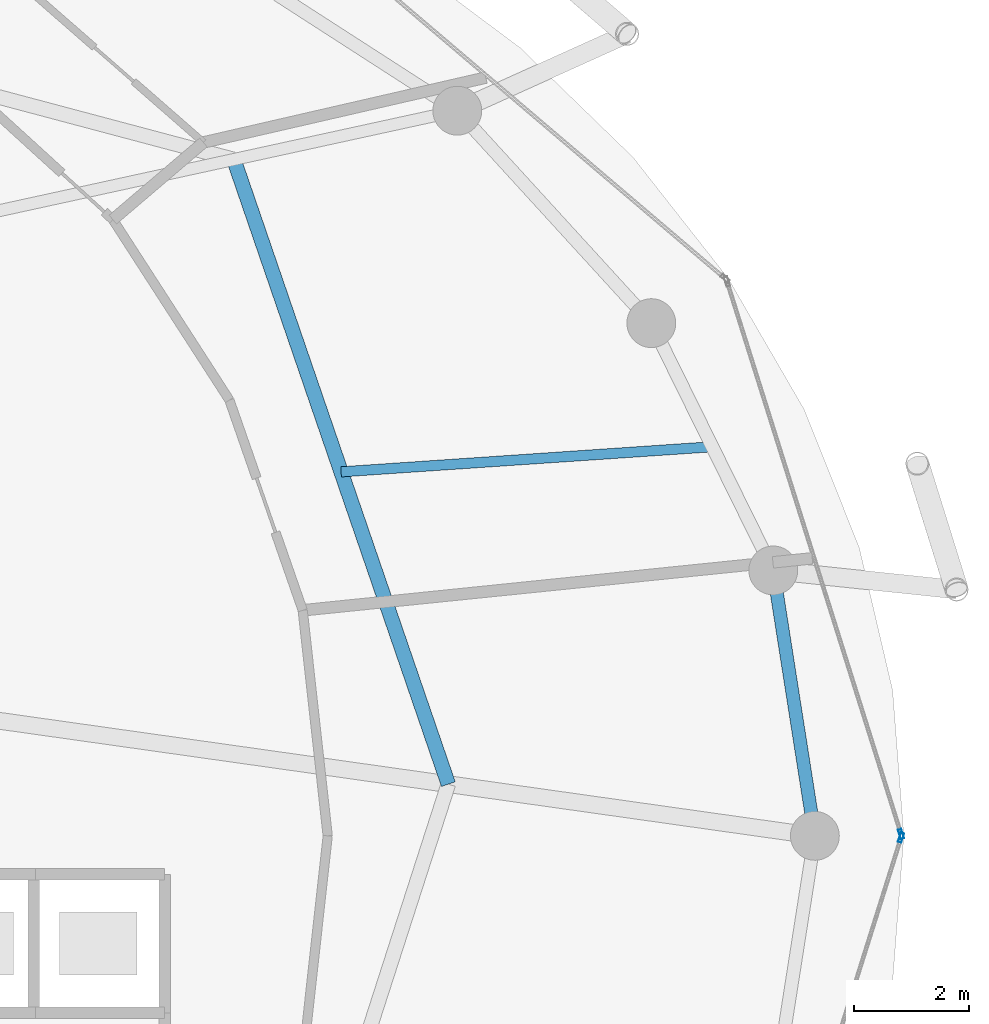
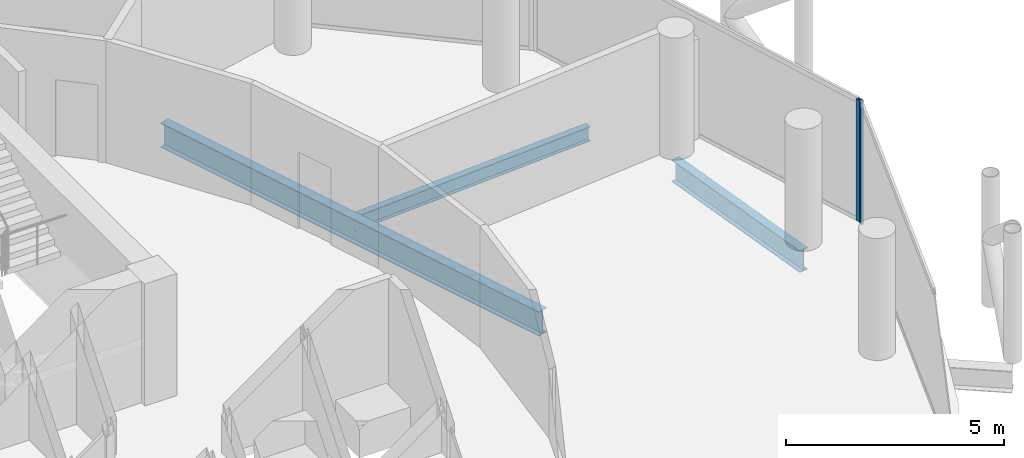
# One storey, part 15 of 27: 3 beams, 2 members, 2 elements without a shape of their own.
"""IFC4 building model written with IfcOpenShell, lengths in metres."""

from ifc_helpers import new_model, si_unit, direction, frame, origin, origin_2d, place, context, subcontext, project, spatial, hollow_rectangle, i_section, extrude, material, layer, layer_set, material_profile, profile_set, type_object, element, aggregate, save


model = new_model("IFC4")

# Units and contexts
model_context = context("Model", 3, precision=1e-05, world=origin(), true_north=direction((0.0, 1.0)))
body_context = subcontext(model_context, "Body", "Model", "MODEL_VIEW")
ifc_project = project(units=[si_unit("LENGTHUNIT", "METRE"), si_unit("AREAUNIT", "SQUARE_METRE"), si_unit("VOLUMEUNIT", "CUBIC_METRE"), si_unit("PLANEANGLEUNIT", "RADIAN"), si_unit("MASSUNIT", "GRAM", prefix="KILO")], contexts=[model_context])

# Site, building, storey
site_placement = place(None, origin())
site = spatial("IfcSite", under=ifc_project, at=site_placement, CompositionType="ELEMENT")
building_placement = place(site_placement, origin())
building = spatial("IfcBuilding", under=site, at=building_placement, Name="Nuhasar Tower", CompositionType="ELEMENT")
storey_placement = place(building_placement, frame((0.0, 0.0, 208.14990234375)))
storey = spatial("IfcBuildingStorey", under=building, at=storey_placement, Name="L50", CompositionType="ELEMENT", Elevation=208.14990234375)

# Beams
ifc_material_1 = material(Name="Steel S355", Category="steel")
ifc_material_profile_1 = material_profile(ifc_material_1, i_section(OverallWidth=0.25390625, OverallDepth=0.68408203125, WebThickness=0.012451171875, FlangeThickness=0.018798828125, at=origin_2d()), Name="W27X94")
ifc_profile_set_1 = profile_set([ifc_material_profile_1], Name="Steel S355")
beam_type_1 = type_object("IfcBeamType", Name="BM-INRING-W27X94", PredefinedType="BEAM", material=ifc_profile_set_1)
beam_1_placement = place(storey_placement, frame((53.8701171875, 27.699951171875, -0.581787109375), z_axis=(-0.324809117642, 0.945779592239, 0.0), x_axis=(-0.945779592239, -0.324809117642, 0.0)))
element("IfcBeam", 1, at=beam_1_placement, inside=storey, type_object=beam_type_1, Name="L50 Inner Header Beam 04", PredefinedType="BEAM", context=body_context, shape_type="SweptSolid", body=[
    extrude(i_section(OverallWidth=0.25390625, OverallDepth=0.68408203125, WebThickness=0.012451171875, FlangeThickness=0.018798828125, at=origin_2d()), origin(), (0.0, 0.0, 1.0), 11.496337890625),
])
ifc_material_profile_2 = material_profile(ifc_material_1, i_section(OverallWidth=0.177978515625, OverallDepth=0.406005859375, WebThickness=0.0078125, FlangeThickness=0.0126953125, at=origin_2d()), Name="W16X40")
ifc_profile_set_2 = profile_set([ifc_material_profile_2], Name="Steel S355")
beam_type_2 = type_object("IfcBeamType", Name="BM-JST-W16X40", PredefinedType="JOIST", material=ifc_profile_set_2)
beam_2_placement = place(storey_placement, frame((52.0029296875, 33.135986328125, -0.44287109375), z_axis=(0.997721156568, 0.067472170095, 0.0), x_axis=(-0.067472170095, 0.997721156568, 0.0)))
element("IfcBeam", 2, at=beam_2_placement, inside=storey, type_object=beam_type_2, Name="L50 Secondary Floor Joist 04", PredefinedType="JOIST", context=body_context, shape_type="SweptSolid", body=[
    extrude(i_section(OverallWidth=0.177978515625, OverallDepth=0.406005859375, WebThickness=0.0078125, FlangeThickness=0.0126953125, at=origin_2d()), origin(), (0.0, 0.0, 1.0), 6.476806640625),
])
ifc_material_profile_3 = material_profile(ifc_material_1, i_section(OverallWidth=0.22802734375, OverallDepth=0.60791015625, WebThickness=0.01123046875, FlangeThickness=0.017333984375, at=origin_2d()), Name="W24X76")
ifc_profile_set_3 = profile_set([ifc_material_profile_3], Name="Steel S355")
beam_type_3 = type_object("IfcBeamType", Name="BM-RING-W24X76", PredefinedType="SPANDREL", material=ifc_profile_set_3)
beam_3_placement = place(storey_placement, frame((60.25, 26.800048828125, -0.5439453125), z_axis=(-0.154849872935, 0.987938012657, 0.0), x_axis=(-0.987938012657, -0.154849872935, 0.0)))
element("IfcBeam", 3, at=beam_3_placement, inside=storey, type_object=beam_type_3, Name="L50 Perimeter Ring Spandrel 01", PredefinedType="SPANDREL", context=body_context, shape_type="SweptSolid", body=[
    extrude(i_section(OverallWidth=0.22802734375, OverallDepth=0.60791015625, WebThickness=0.01123046875, FlangeThickness=0.017333984375, at=origin_2d()), origin(), (0.0, 0.0, 1.0), 4.67626953125),
])

# Curtain wall, member
ifc_material_2 = material(Name="Aluminium 6063-T6", Category="aluminium")
ifc_layer = layer(ifc_material_2, 0.18994140625)
ifc_layer_set = layer_set([ifc_layer], Name="Aluminium 6063-T6")
curtain_wall_type = type_object("IfcCurtainWallType", Name="CW-Z3-RES", PredefinedType="NOTDEFINED", material=ifc_layer_set)
curtain_wall_1_placement = place(storey_placement, origin())
curtain_wall_1 = element("IfcCurtainWall", 4, at=curtain_wall_1_placement, inside=storey, type_object=curtain_wall_type, Name="L50 Unitised Curtain Wall 01", PredefinedType="NOTDEFINED")
ifc_material_profile_4 = material_profile(ifc_material_2, hollow_rectangle(XDim=0.06494140625, YDim=0.169921875, WallThickness=0.0048828125, at=origin_2d()), Name="CWM-4")
ifc_profile_set_4 = profile_set([ifc_material_profile_4], Name="Aluminium 6063-T6")
member_type = type_object("IfcMemberType", Name="CW-MUL-S4", PredefinedType="MULLION", material=ifc_profile_set_4)
member_1_placement = place(storey_placement, frame((61.750244140625, 26.8310546875, 0.0), z_axis=(0.0, 0.0, 1.0), x_axis=(-0.95380429279, -0.30042864553, 0.0)))
member_1 = element("IfcMember", 5, at=member_1_placement, type_object=member_type, Name="CW-Z3 mullion 1", PredefinedType="MULLION", context=body_context, shape_type="SweptSolid", body=[
    extrude(hollow_rectangle(XDim=0.06494140625, YDim=0.169921875, WallThickness=0.0048828125, at=origin_2d()), origin(), (0.0, 0.0, 1.0), 3.41015625),
])
aggregate(curtain_wall_1, [member_1])

curtain_wall_2_placement = place(storey_placement, origin())
curtain_wall_2 = element("IfcCurtainWall", 6, at=curtain_wall_2_placement, inside=storey, type_object=curtain_wall_type, Name="L50 Unitised Curtain Wall 12", PredefinedType="NOTDEFINED")
member_2_placement = place(storey_placement, frame((61.750244140625, 26.76904296875, 0.0), z_axis=(0.0, 0.0, 1.0), x_axis=(-0.95380429279, 0.30042864553, 0.0)))
member_2 = element("IfcMember", 7, at=member_2_placement, type_object=member_type, Name="CW-Z3 mullion 2", PredefinedType="MULLION", context=body_context, shape_type="SweptSolid", body=[
    extrude(hollow_rectangle(XDim=0.06494140625, YDim=0.169921875, WallThickness=0.0048828125, at=origin_2d()), origin(), (0.0, 0.0, 1.0), 3.41015625),
])
aggregate(curtain_wall_2, [member_2])

save(model, "model.ifc")
